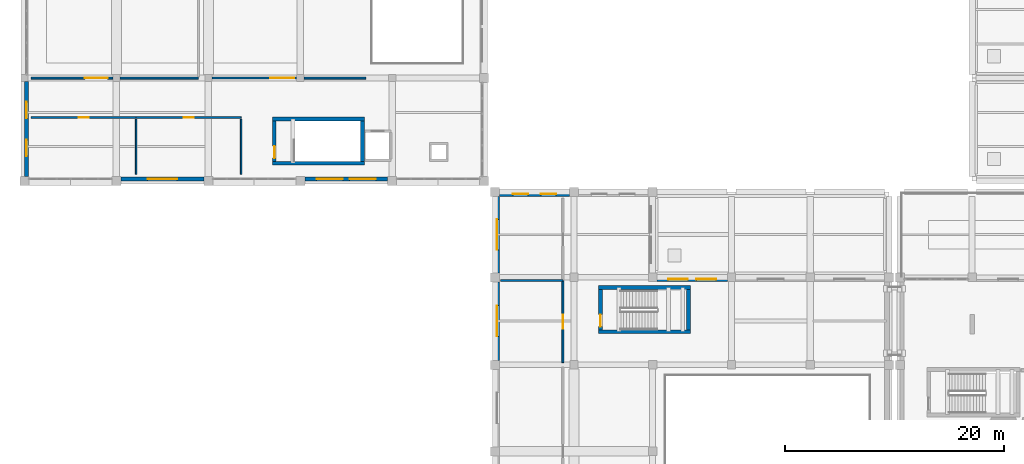
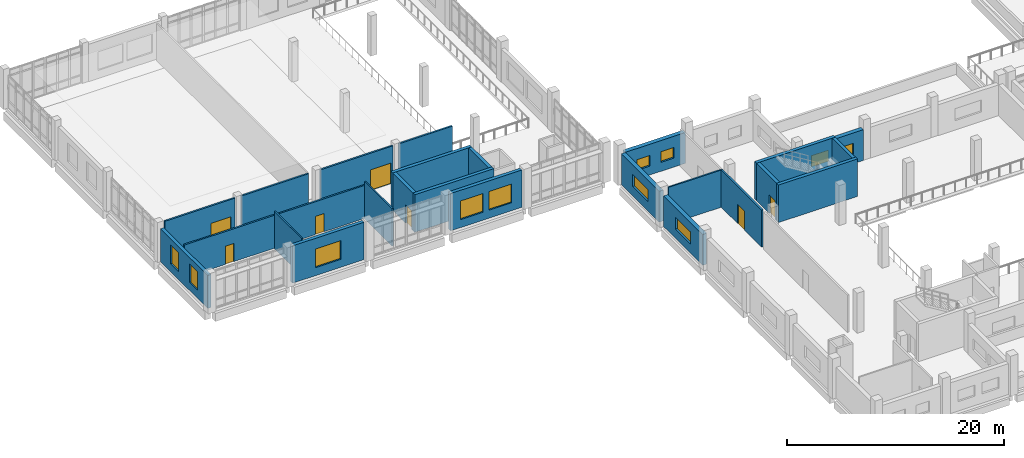
# One storey, part 41 of 54: 25 walls, 11 windows, 7 doors, 18 openings.
"""IFC4 building model written with IfcOpenShell, lengths in metres."""

from ifc_helpers import new_model, si_unit, direction, frame, frame_2d, origin, place, context, subcontext, project, spatial, rectangle, extrude, material, layer, layer_set, type_object, element, fill, save


model = new_model("IFC4")

# Units and contexts
model_context = context("Model", 3, precision=1e-05, world=origin(), true_north=direction((0.0, 1.0)))
body_context = subcontext(model_context, "Body", "Model", "MODEL_VIEW")
ifc_project = project(units=[si_unit("LENGTHUNIT", "METRE"), si_unit("AREAUNIT", "SQUARE_METRE"), si_unit("VOLUMEUNIT", "CUBIC_METRE"), si_unit("PLANEANGLEUNIT", "RADIAN"), si_unit("MASSUNIT", "GRAM", prefix="KILO")], contexts=[model_context])

# Site, building, storey
site_placement = place(None, origin())
site = spatial("IfcSite", under=ifc_project, at=site_placement, CompositionType="ELEMENT")
building_placement = place(site_placement, origin())
building = spatial("IfcBuilding", under=site, at=building_placement, Name="Kelarvand Opera House", CompositionType="ELEMENT")
storey_placement = place(building_placement, frame((0.0, 0.0, 15.0)))
storey = spatial("IfcBuildingStorey", under=building, at=storey_placement, Name="L03", CompositionType="ELEMENT", Elevation=15.0)

# Walls
ifc_material_1 = material(Name="Acoustic double-stud gypsum partition")
ifc_layer_1 = layer(ifc_material_1, 0.14990234375, Name="Acoustic double-stud gypsum partition")
ifc_layer_set_1 = layer_set([ifc_layer_1], Name="Acoustic double-stud gypsum partition")
wall_type_1 = type_object("IfcWallType", Name="Acoustic Room Partition Wall 150", PredefinedType="PARTITIONING", material=ifc_layer_set_1)
wall_1_placement = place(storey_placement, frame((52.5, 78.10009765625, 0.0), z_axis=(0.0, 0.0, 1.0), x_axis=(1.0, 0.0, 0.0)))
element("IfcWall", 1, at=wall_1_placement, inside=storey, type_object=wall_type_1, Name="V2 L03 Partition Wall IW-150 (579)", PredefinedType="PARTITIONING", context=body_context, shape_type="SweptSolid", body=[
    extrude(rectangle(XDim=5.699951171875, YDim=0.14990234375, at=frame_2d((2.85009765625, 0.0))), origin(), (0.0, 0.0, 1.0), 4.19189453125),
])
for number, where, z_axis, x_axis, name in (
    (2, (19.199951171875, 87.800048828125, 0.0), (0.0, 0.0, 1.0), (0.0, 1.0, 0.0), "V3 L03 Partition Wall IW-150 (591)"),
    (3, (28.800048828125, 87.800048828125, 0.0), (0.0, 0.0, 1.0), (0.0, 1.0, 0.0), "V3 L03 Partition Wall IW-150 (592)"),
):
    element("IfcWall", number, at=place(storey_placement, frame(where, z_axis=z_axis, x_axis=x_axis)), inside=storey, type_object=wall_type_1, Name=name, PredefinedType="PARTITIONING", context=body_context, shape_type="SweptSolid", body=[
        extrude(rectangle(XDim=5.06005859375, YDim=0.14990234375, at=frame_2d((2.530029296875, 0.0))), origin(), (0.0, 0.0, 1.0), 4.19189453125),
    ])

# Wall, openings, windows
ifc_material_2 = material(Name="Concrete C35/45", Category="concrete")
ifc_layer_2 = layer(ifc_material_2, 0.360107421875, Name="Concrete C35/45", Category="concrete")
ifc_layer_set_2 = layer_set([ifc_layer_2], Name="Concrete C35/45")
wall_type_2 = type_object("IfcWallType", Name="Azarshahr Travertine Cavity Wall 360", PredefinedType="SOLIDWALL", material=ifc_layer_set_2)
wall_2_placement = place(storey_placement, frame((9.179931640625, 87.610107421875, 0.0), z_axis=(0.0, 0.0, 1.0), x_axis=(0.0, 1.0, 0.0)))
wall_2 = element("IfcWall", 4, at=wall_2_placement, inside=storey, type_object=wall_type_2, Name="V3 L03 Exterior Wall EW-360 (426)", PredefinedType="SOLIDWALL", context=body_context, shape_type="SweptSolid", body=[
    extrude(rectangle(XDim=8.664794921875, YDim=0.360107421875, at=frame_2d((4.33251953125, 0.0))), origin(), (0.0, 0.0, 1.0), 3.709228515625),
])
opening_1_placement = place(wall_2_placement, frame((1.85009765625, 0.0, 0.89990234375)))
opening_1 = element("IfcOpeningElement", 5, at=opening_1_placement, cuts=wall_2, Name="Opening WN-04", PredefinedType="OPENING", context=body_context, shape_type="SweptSolid", body=[
    extrude(rectangle(XDim=1.5, YDim=2.10009765625, at=frame_2d((0.75, 1.050048828125))), frame((0.0, 0.18994140625, 0.0), z_axis=(0.0, -1.0, 0.0), x_axis=(1.0, 0.0, 0.0)), (0.0, 0.0, 1.0), 0.380126953125),
])
opening_2_placement = place(wall_2_placement, frame((5.31591796875, 0.0, 0.89990234375)))
opening_2 = element("IfcOpeningElement", 6, at=opening_2_placement, cuts=wall_2, Name="Opening WN-04", PredefinedType="OPENING", context=body_context, shape_type="SweptSolid", body=[
    extrude(rectangle(XDim=1.5, YDim=2.10009765625, at=frame_2d((0.75, 1.050048828125))), frame((0.0, 0.18994140625, 0.0), z_axis=(0.0, -1.0, 0.0), x_axis=(1.0, 0.0, 0.0)), (0.0, 0.0, 1.0), 0.380126953125),
])
ifc_material_3 = material(Name="Thermally broken aluminium and low-E double glazing", Category="aluminium")
window_type_1 = type_object("IfcWindowType", Name="Recessed Aluminium Thermal Window 1500x2100 WN-04", PartitioningType="SINGLE_PANEL", PredefinedType="WINDOW", material=ifc_material_3)
window_1_placement = place(opening_1_placement, origin())
window_1 = element("IfcWindow", 7, at=window_1_placement, inside=storey, type_object=window_type_1, Name="V3 L03 Facade Window WN-04 (196)", OverallHeight=2.10009765625, OverallWidth=1.5, PartitioningType="SINGLE_PANEL", PredefinedType="WINDOW", context=body_context, shape_type="SweptSolid", body=[
    extrude(rectangle(XDim=1.5, YDim=2.10009765625, at=frame_2d((0.75, 1.050048828125))), frame((0.0, 0.030029296875, 0.0), z_axis=(0.0, -1.0, 0.0), x_axis=(1.0, 0.0, 0.0)), (0.0, 0.0, 1.0), 0.06005859375),
])
fill(opening_1, window_1)
window_2_placement = place(opening_2_placement, origin())
window_2 = element("IfcWindow", 8, at=window_2_placement, inside=storey, type_object=window_type_1, Name="V3 L03 Facade Window WN-04 (197)", OverallHeight=2.10009765625, OverallWidth=1.5, PartitioningType="SINGLE_PANEL", PredefinedType="WINDOW", context=body_context, shape_type="SweptSolid", body=[
    extrude(rectangle(XDim=1.5, YDim=2.10009765625, at=frame_2d((0.75, 1.050048828125))), frame((0.0, 0.030029296875, 0.0), z_axis=(0.0, -1.0, 0.0), x_axis=(1.0, 0.0, 0.0)), (0.0, 0.0, 1.0), 0.06005859375),
])
fill(opening_2, window_2)

wall_3_placement = place(storey_placement, frame((42.18994140625, 87.3798828125, 0.0), z_axis=(0.0, 0.0, 1.0), x_axis=(-1.0, 0.0, 0.0)))
wall_3 = element("IfcWall", 9, at=wall_3_placement, inside=storey, type_object=wall_type_2, Name="V3 L03 Exterior Wall EW-360 (428)", PredefinedType="SOLIDWALL", context=body_context, shape_type="SweptSolid", body=[
    extrude(rectangle(XDim=7.579833984375, YDim=0.360107421875, at=frame_2d((3.7900390625, 0.0))), origin(), (0.0, 0.0, 1.0), 4.199951171875),
])
opening_3_placement = place(wall_3_placement, frame((1.073974609375, 0.0, 0.89990234375)))
opening_3 = element("IfcOpeningElement", 10, at=opening_3_placement, cuts=wall_3, Name="Opening WN-07", PredefinedType="OPENING", context=body_context, shape_type="SweptSolid", body=[
    extrude(rectangle(XDim=2.39990234375, YDim=2.10009765625, at=frame_2d((1.199951171875, 1.050048828125))), frame((0.0, 0.18994140625, 0.0), z_axis=(0.0, -1.0, 0.0), x_axis=(1.0, 0.0, 0.0)), (0.0, 0.0, 1.0), 0.380126953125),
])
opening_4_placement = place(wall_3_placement, frame((4.10595703125, 0.0, 0.89990234375)))
opening_4 = element("IfcOpeningElement", 11, at=opening_4_placement, cuts=wall_3, Name="Opening WN-07", PredefinedType="OPENING", context=body_context, shape_type="SweptSolid", body=[
    extrude(rectangle(XDim=2.39990234375, YDim=2.10009765625, at=frame_2d((1.199951171875, 1.050048828125))), frame((0.0, 0.18994140625, 0.0), z_axis=(0.0, -1.0, 0.0), x_axis=(1.0, 0.0, 0.0)), (0.0, 0.0, 1.0), 0.380126953125),
])
window_type_2 = type_object("IfcWindowType", Name="Recessed Aluminium Thermal Window 2400x2100 WN-07", PartitioningType="SINGLE_PANEL", PredefinedType="WINDOW", material=ifc_material_3)
window_3_placement = place(opening_3_placement, origin())
window_3 = element("IfcWindow", 12, at=window_3_placement, inside=storey, type_object=window_type_2, Name="V3 L03 Facade Window WN-07 (200)", OverallHeight=2.10009765625, OverallWidth=2.39990234375, PartitioningType="SINGLE_PANEL", PredefinedType="WINDOW", context=body_context, shape_type="SweptSolid", body=[
    extrude(rectangle(XDim=2.39990234375, YDim=2.10009765625, at=frame_2d((1.199951171875, 1.050048828125))), frame((0.0, 0.030029296875, 0.0), z_axis=(0.0, -1.0, 0.0), x_axis=(1.0, 0.0, 0.0)), (0.0, 0.0, 1.0), 0.06005859375),
])
fill(opening_3, window_3)
window_4_placement = place(opening_4_placement, origin())
window_4 = element("IfcWindow", 13, at=window_4_placement, inside=storey, type_object=window_type_2, Name="V3 L03 Facade Window WN-07 (201)", OverallHeight=2.10009765625, OverallWidth=2.39990234375, PartitioningType="SINGLE_PANEL", PredefinedType="WINDOW", context=body_context, shape_type="SweptSolid", body=[
    extrude(rectangle(XDim=2.39990234375, YDim=2.10009765625, at=frame_2d((1.199951171875, 1.050048828125))), frame((0.0, 0.030029296875, 0.0), z_axis=(0.0, -1.0, 0.0), x_axis=(1.0, 0.0, 0.0)), (0.0, 0.0, 1.0), 0.06005859375),
])
fill(opening_4, window_4)

# Wall, opening, window
wall_4_placement = place(storey_placement, frame((25.389892578125, 87.3798828125, 0.0), z_axis=(0.0, 0.0, 1.0), x_axis=(-1.0, 0.0, 0.0)))
wall_4 = element("IfcWall", 14, at=wall_4_placement, inside=storey, type_object=wall_type_2, Name="V3 L03 Exterior Wall EW-360 (429)", PredefinedType="SOLIDWALL", context=body_context, shape_type="SweptSolid", body=[
    extrude(rectangle(XDim=7.579833984375, YDim=0.360107421875, at=frame_2d((3.7900390625, 0.0))), origin(), (0.0, 0.0, 1.0), 4.199951171875),
])
opening_5_placement = place(wall_4_placement, frame((2.43994140625, 0.0, 0.89990234375)))
opening_5 = element("IfcOpeningElement", 15, at=opening_5_placement, cuts=wall_4, Name="Opening WN-08", PredefinedType="OPENING", context=body_context, shape_type="SweptSolid", body=[
    extrude(rectangle(XDim=2.699951171875, YDim=2.10009765625, at=frame_2d((1.35009765625, 1.050048828125))), frame((0.0, 0.18994140625, 0.0), z_axis=(0.0, -1.0, 0.0), x_axis=(1.0, 0.0, 0.0)), (0.0, 0.0, 1.0), 0.380126953125),
])
window_type_3 = type_object("IfcWindowType", Name="Recessed Aluminium Thermal Window 2700x2100 WN-08", PartitioningType="SINGLE_PANEL", PredefinedType="WINDOW", material=ifc_material_3)
window_5_placement = place(opening_5_placement, origin())
window_5 = element("IfcWindow", 16, at=window_5_placement, inside=storey, type_object=window_type_3, Name="V3 L03 Facade Window WN-08 (202)", OverallHeight=2.10009765625, OverallWidth=2.699951171875, PartitioningType="SINGLE_PANEL", PredefinedType="WINDOW", context=body_context, shape_type="SweptSolid", body=[
    extrude(rectangle(XDim=2.699951171875, YDim=2.10009765625, at=frame_2d((1.35009765625, 1.050048828125))), frame((0.0, 0.030029296875, 0.0), z_axis=(0.0, -1.0, 0.0), x_axis=(1.0, 0.0, 0.0)), (0.0, 0.0, 1.0), 0.06005859375),
])
fill(opening_5, window_5)

# Walls
ifc_material_4 = material(Name="Concrete C40/50", Category="concrete")
ifc_layer_3 = layer(ifc_material_4, 0.35009765625, Name="Concrete C40/50", Category="concrete")
ifc_layer_set_3 = layer_set([ifc_layer_3], Name="Concrete C40/50")
wall_type_3 = type_object("IfcWallType", Name="Core Stair and Lift Shear Wall 350", PredefinedType="SHEAR", material=ifc_layer_set_3)
for number, where, z_axis, x_axis, name in (
    (17, (61.449951171875, 73.425048828125, 0.0), (0.0, 0.0, 1.0), (1.0, 0.0, 0.0), "C3 Stair Core Shear Wall S L03"),
    (18, (69.85009765625, 77.47509765625, 0.0), (0.0, 0.0, 1.0), (-1.0, 0.0, 0.0), "C3 Stair Core Shear Wall N L03"),
):
    element("IfcWall", number, at=place(storey_placement, frame(where, z_axis=z_axis, x_axis=x_axis)), inside=storey, type_object=wall_type_3, Name=name, PredefinedType="SHEAR", context=body_context, shape_type="SweptSolid", body=[
        extrude(rectangle(XDim=8.400146484375, YDim=0.35009765625, at=frame_2d((4.2001953125, 0.0))), origin(), (0.0, 0.0, 1.0), 4.219970703125),
    ])

# Wall, opening, door
wall_5_placement = place(storey_placement, frame((61.625, 73.60009765625, 0.0), z_axis=(0.0, 0.0, 1.0), x_axis=(0.0, 1.0, 0.0)))
wall_5 = element("IfcWall", 19, at=wall_5_placement, inside=storey, type_object=wall_type_3, Name="C3 Stair Core Shear Wall W L03", PredefinedType="SHEAR", context=body_context, shape_type="SweptSolid", body=[
    extrude(rectangle(XDim=3.699951171875, YDim=0.35009765625, at=frame_2d((1.85009765625, 0.0))), origin(), (0.0, 0.0, 1.0), 4.219970703125),
])
opening_6_placement = place(wall_5_placement, frame((0.280029296875, 0.0, 0.0)))
opening_6 = element("IfcOpeningElement", 20, at=opening_6_placement, cuts=wall_5, Name="Opening FD-01", PredefinedType="OPENING", context=body_context, shape_type="SweptSolid", body=[
    extrude(rectangle(XDim=1.10009765625, YDim=2.080078125, at=frame_2d((0.550048828125, 1.0400390625))), frame((0.0, 0.18505859375, 0.0), z_axis=(0.0, -1.0, 0.0), x_axis=(1.0, 0.0, 0.0)), (0.0, 0.0, 1.0), 0.3701171875),
])
ifc_material_5 = material(Name="Fire-rated brushed stainless steel", Category="steel")
door_type_1 = type_object("IfcDoorType", Name="Steel Fire-Rated Stair and FF Lobby Door 1100x2080", OperationType="NOTDEFINED", PredefinedType="DOOR", material=ifc_material_5)
door_1_placement = place(opening_6_placement, origin())
door_1 = element("IfcDoor", 21, at=door_1_placement, inside=storey, type_object=door_type_1, Name="C3 Stair ST-03 Fire Door L03", OperationType="SINGLE_SWING_LEFT", OverallHeight=2.080078125, OverallWidth=1.10009765625, PredefinedType="DOOR", context=body_context, shape_type="SweptSolid", body=[
    extrude(rectangle(XDim=1.10009765625, YDim=2.080078125, at=frame_2d((0.550048828125, 1.0400390625))), frame((0.0, 0.02490234375, 0.0), z_axis=(0.0, -1.0, 0.0), x_axis=(1.0, 0.0, 0.0)), (0.0, 0.0, 1.0), 0.050048828125),
])
fill(opening_6, door_1)

# Walls
wall_6_placement = place(storey_placement, frame((69.675048828125, 77.300048828125, 0.0), z_axis=(0.0, 0.0, 1.0), x_axis=(0.0, -1.0, 0.0)))
element("IfcWall", 22, at=wall_6_placement, inside=storey, type_object=wall_type_3, Name="C3 Stair Core Shear Wall E L03", PredefinedType="SHEAR", context=body_context, shape_type="SweptSolid", body=[
    extrude(rectangle(XDim=3.699951171875, YDim=0.35009765625, at=frame_2d((1.85009765625, 0.0))), origin(), (0.0, 0.0, 1.0), 4.219970703125),
])
for number, where, z_axis, x_axis, name in (
    (23, (31.64990234375, 88.824951171875, 0.0), (0.0, 0.0, 1.0), (1.0, 0.0, 0.0), "C5 Stair Core Shear Wall S L03"),
    (24, (40.050048828125, 92.875, 0.0), (0.0, 0.0, 1.0), (-1.0, 0.0, 0.0), "C5 Stair Core Shear Wall N L03"),
):
    element("IfcWall", number, at=place(storey_placement, frame(where, z_axis=z_axis, x_axis=x_axis)), inside=storey, type_object=wall_type_3, Name=name, PredefinedType="SHEAR", context=body_context, shape_type="SweptSolid", body=[
        extrude(rectangle(XDim=8.400146484375, YDim=0.35009765625, at=frame_2d((4.2001953125, 0.0))), origin(), (0.0, 0.0, 1.0), 4.219970703125),
    ])

# Wall, opening, door
wall_7_placement = place(storey_placement, frame((31.824951171875, 89.0, 0.0), z_axis=(0.0, 0.0, 1.0), x_axis=(0.0, 1.0, 0.0)))
wall_7 = element("IfcWall", 25, at=wall_7_placement, inside=storey, type_object=wall_type_3, Name="C5 Stair Core Shear Wall W L03", PredefinedType="SHEAR", context=body_context, shape_type="SweptSolid", body=[
    extrude(rectangle(XDim=3.699951171875, YDim=0.35009765625, at=frame_2d((1.85009765625, 0.0))), origin(), (0.0, 0.0, 1.0), 4.219970703125),
])
opening_7_placement = place(wall_7_placement, frame((0.280029296875, 0.0, 0.0)))
opening_7 = element("IfcOpeningElement", 26, at=opening_7_placement, cuts=wall_7, Name="Opening FD-01", PredefinedType="OPENING", context=body_context, shape_type="SweptSolid", body=[
    extrude(rectangle(XDim=1.10009765625, YDim=2.080078125, at=frame_2d((0.550048828125, 1.0400390625))), frame((0.0, 0.18505859375, 0.0), z_axis=(0.0, -1.0, 0.0), x_axis=(1.0, 0.0, 0.0)), (0.0, 0.0, 1.0), 0.3701171875),
])
door_2_placement = place(opening_7_placement, origin())
door_2 = element("IfcDoor", 27, at=door_2_placement, inside=storey, type_object=door_type_1, Name="C5 Stair ST-05 Fire Door L03", OperationType="SINGLE_SWING_LEFT", OverallHeight=2.080078125, OverallWidth=1.10009765625, PredefinedType="DOOR", context=body_context, shape_type="SweptSolid", body=[
    extrude(rectangle(XDim=1.10009765625, YDim=2.080078125, at=frame_2d((0.550048828125, 1.0400390625))), frame((0.0, 0.02490234375, 0.0), z_axis=(0.0, -1.0, 0.0), x_axis=(1.0, 0.0, 0.0)), (0.0, 0.0, 1.0), 0.050048828125),
])
fill(opening_7, door_2)

# Wall
wall_8_placement = place(storey_placement, frame((39.875, 92.699951171875, 0.0), z_axis=(0.0, 0.0, 1.0), x_axis=(0.0, -1.0, 0.0)))
element("IfcWall", 28, at=wall_8_placement, inside=storey, type_object=wall_type_3, Name="C5 Stair Core Shear Wall E L03", PredefinedType="SHEAR", context=body_context, shape_type="SweptSolid", body=[
    extrude(rectangle(XDim=3.699951171875, YDim=0.35009765625, at=frame_2d((1.85009765625, 0.0))), origin(), (0.0, 0.0, 1.0), 4.219970703125),
])

# Wall, opening, door
ifc_layer_4 = layer(ifc_material_2, 0.179931640625, Name="Concrete C35/45", Category="concrete")
ifc_layer_set_4 = layer_set([ifc_layer_4], Name="Concrete C35/45")
wall_type_4 = type_object("IfcWallType", Name="Corridor Fire-Rated Partition Wall 180 EI90", PredefinedType="PARTITIONING", material=ifc_layer_set_4)
wall_9_placement = place(storey_placement, frame((58.199951171875, 70.60009765625, 0.0), z_axis=(0.0, 0.0, 1.0), x_axis=(0.0, 1.0, 0.0)))
wall_9 = element("IfcWall", 29, at=wall_9_placement, inside=storey, type_object=wall_type_4, Name="V2 L03 Partition Wall IW-90 (578)", PredefinedType="PARTITIONING", context=body_context, shape_type="SweptSolid", body=[
    extrude(rectangle(XDim=7.5, YDim=0.179931640625, at=frame_2d((3.75, 0.0))), origin(), (0.0, 0.0, 1.0), 4.19189453125),
])
opening_8_placement = place(wall_9_placement, frame((3.110107421875, 0.0, 0.0)))
opening_8 = element("IfcOpeningElement", 30, at=opening_8_placement, cuts=wall_9, Name="Opening D-11", PredefinedType="OPENING", context=body_context, shape_type="SweptSolid", body=[
    extrude(rectangle(XDim=1.280029296875, YDim=2.139892578125, at=frame_2d((0.64013671875, 1.06982421875))), frame((0.0, 0.10009765625, 0.0), z_axis=(0.0, -1.0, 0.0), x_axis=(1.0, 0.0, 0.0)), (0.0, 0.0, 1.0), 0.199951171875),
])
ifc_material_6 = material(Name="Acoustic walnut-veneered hardwood", Category="wood")
door_type_2 = type_object("IfcDoorType", Name="Instrument Store Leaf-and-Half Door 1280x2140", OperationType="NOTDEFINED", PredefinedType="DOOR", material=ifc_material_6)
door_3_placement = place(opening_8_placement, origin())
door_3 = element("IfcDoor", 31, at=door_3_placement, inside=storey, type_object=door_type_2, Name="V2 L03 Door D-11 (258)", OperationType="SINGLE_SWING_RIGHT", OverallHeight=2.139892578125, OverallWidth=1.280029296875, PredefinedType="DOOR", context=body_context, shape_type="SweptSolid", body=[
    extrude(rectangle(XDim=1.280029296875, YDim=2.139892578125, at=frame_2d((0.64013671875, 1.06982421875))), frame((0.0, 0.02490234375, 0.0), z_axis=(0.0, -1.0, 0.0), x_axis=(1.0, 0.0, 0.0)), (0.0, 0.0, 1.0), 0.050048828125),
])
fill(opening_8, door_3)

wall_10_placement = place(storey_placement, frame((9.60009765625, 96.60009765625, 0.0), z_axis=(0.0, 0.0, 1.0), x_axis=(1.0, 0.0, 0.0)))
wall_10 = element("IfcWall", 32, at=wall_10_placement, inside=storey, type_object=wall_type_4, Name="V3 L03 Partition Wall IW-90 (585)", PredefinedType="PARTITIONING", context=body_context, shape_type="SweptSolid", body=[
    extrude(rectangle(XDim=7.474853515625, YDim=0.179931640625, at=frame_2d((3.7373046875, 0.0))), origin(), (0.0, 0.0, 1.0), 4.19189453125),
])
opening_9_placement = place(wall_10_placement, frame((4.923095703125, 0.0, 0.0)))
opening_9 = element("IfcOpeningElement", 33, at=opening_9_placement, cuts=wall_10, Name="Opening D-08", PredefinedType="OPENING", context=body_context, shape_type="SweptSolid", body=[
    extrude(rectangle(XDim=2.10009765625, YDim=2.25, at=frame_2d((1.050048828125, 1.125))), frame((0.0, 0.10009765625, 0.0), z_axis=(0.0, -1.0, 0.0), x_axis=(1.0, 0.0, 0.0)), (0.0, 0.0, 1.0), 0.199951171875),
])
door_type_3 = type_object("IfcDoorType", Name="Foyer Intermission Double Glazed Door 2100x2250", OperationType="NOTDEFINED", PredefinedType="DOOR", material=ifc_material_6)
door_4_placement = place(opening_9_placement, origin())
door_4 = element("IfcDoor", 34, at=door_4_placement, inside=storey, type_object=door_type_3, Name="V3 L03 Door D-08 (263)", OperationType="DOUBLE_DOOR_SINGLE_SWING", OverallHeight=2.25, OverallWidth=2.10009765625, PredefinedType="DOOR", context=body_context, shape_type="SweptSolid", body=[
    extrude(rectangle(XDim=2.10009765625, YDim=2.25, at=frame_2d((1.050048828125, 1.125))), frame((0.0, 0.02490234375, 0.0), z_axis=(0.0, -1.0, 0.0), x_axis=(1.0, 0.0, 0.0)), (0.0, 0.0, 1.0), 0.050048828125),
])
fill(opening_9, door_4)

# Wall
wall_11_placement = place(storey_placement, frame((17.72509765625, 96.60009765625, 0.0), z_axis=(0.0, 0.0, 1.0), x_axis=(1.0, 0.0, 0.0)))
element("IfcWall", 35, at=wall_11_placement, inside=storey, type_object=wall_type_4, Name="V3 L03 Partition Wall IW-90 (586)", PredefinedType="PARTITIONING", context=body_context, shape_type="SweptSolid", body=[
    extrude(rectangle(XDim=7.1748046875, YDim=0.179931640625, at=frame_2d((3.58740234375, 0.0))), origin(), (0.0, 0.0, 1.0), 4.19189453125),
])

# Wall, opening, door
wall_12_placement = place(storey_placement, frame((26.125, 96.60009765625, 0.0), z_axis=(0.0, 0.0, 1.0), x_axis=(1.0, 0.0, 0.0)))
wall_12 = element("IfcWall", 36, at=wall_12_placement, inside=storey, type_object=wall_type_4, Name="V3 L03 Partition Wall IW-90 (588)", PredefinedType="PARTITIONING", context=body_context, shape_type="SweptSolid", body=[
    extrude(rectangle(XDim=7.75, YDim=0.179931640625, at=frame_2d((3.875, 0.0))), origin(), (0.0, 0.0, 1.0), 4.19189453125),
])
opening_10_placement = place(wall_12_placement, frame((5.324951171875, 0.0, 0.0)))
opening_10 = element("IfcOpeningElement", 37, at=opening_10_placement, cuts=wall_12, Name="Opening D-18", PredefinedType="OPENING", context=body_context, shape_type="SweptSolid", body=[
    extrude(rectangle(XDim=2.199951171875, YDim=2.320068359375, at=frame_2d((1.10009765625, 1.16015625))), frame((0.0, 0.10009765625, 0.0), z_axis=(0.0, -1.0, 0.0), x_axis=(1.0, 0.0, 0.0)), (0.0, 0.0, 1.0), 0.199951171875),
])
door_type_4 = type_object("IfcDoorType", Name="Main Concourse Glazed Double Door 2200x2320", OperationType="NOTDEFINED", PredefinedType="DOOR", material=ifc_material_6)
door_5_placement = place(opening_10_placement, origin())
door_5 = element("IfcDoor", 38, at=door_5_placement, inside=storey, type_object=door_type_4, Name="V3 L03 Door D-18 (264)", OperationType="DOUBLE_DOOR_SINGLE_SWING", OverallHeight=2.320068359375, OverallWidth=2.199951171875, PredefinedType="DOOR", context=body_context, shape_type="SweptSolid", body=[
    extrude(rectangle(XDim=2.199951171875, YDim=2.320068359375, at=frame_2d((1.10009765625, 1.16015625))), frame((0.0, 0.02490234375, 0.0), z_axis=(0.0, -1.0, 0.0), x_axis=(1.0, 0.0, 0.0)), (0.0, 0.0, 1.0), 0.050048828125),
])
fill(opening_10, door_5)

# Wall
wall_13_placement = place(storey_placement, frame((34.52490234375, 96.60009765625, 0.0), z_axis=(0.0, 0.0, 1.0), x_axis=(1.0, 0.0, 0.0)))
element("IfcWall", 39, at=wall_13_placement, inside=storey, type_object=wall_type_4, Name="V3 L03 Partition Wall IW-90 (589)", PredefinedType="PARTITIONING", context=body_context, shape_type="SweptSolid", body=[
    extrude(rectangle(XDim=5.675048828125, YDim=0.179931640625, at=frame_2d((2.83740234375, 0.0))), origin(), (0.0, 0.0, 1.0), 4.19189453125),
])

# Wall, opening, door
wall_14_placement = place(storey_placement, frame((9.60009765625, 93.0, 0.0), z_axis=(0.0, 0.0, 1.0), x_axis=(1.0, 0.0, 0.0)))
wall_14 = element("IfcWall", 40, at=wall_14_placement, inside=storey, type_object=wall_type_4, Name="V3 L03 Partition Wall IW-90 (590)", PredefinedType="PARTITIONING", context=body_context, shape_type="SweptSolid", body=[
    extrude(rectangle(XDim=9.599853515625, YDim=0.179931640625, at=frame_2d((4.7998046875, 0.0))), origin(), (0.0, 0.0, 1.0), 3.7021484375),
])
opening_11_placement = place(wall_14_placement, frame((4.340087890625, 0.0, 0.0)))
opening_11 = element("IfcOpeningElement", 41, at=opening_11_placement, cuts=wall_14, Name="Opening D-01", PredefinedType="OPENING", context=body_context, shape_type="SweptSolid", body=[
    extrude(rectangle(XDim=0.919921875, YDim=2.050048828125, at=frame_2d((0.4599609375, 1.02490234375))), frame((0.0, 0.10009765625, 0.0), z_axis=(0.0, -1.0, 0.0), x_axis=(1.0, 0.0, 0.0)), (0.0, 0.0, 1.0), 0.199951171875),
])
door_type_5 = type_object("IfcDoorType", Name="Solid Timber Dressing and WC Door 920x2050", OperationType="NOTDEFINED", PredefinedType="DOOR", material=ifc_material_6)
door_6_placement = place(opening_11_placement, origin())
door_6 = element("IfcDoor", 42, at=door_6_placement, inside=storey, type_object=door_type_5, Name="V3 L03 Door D-01 (265)", OperationType="SINGLE_SWING_LEFT", OverallHeight=2.050048828125, OverallWidth=0.919921875, PredefinedType="DOOR", context=body_context, shape_type="SweptSolid", body=[
    extrude(rectangle(XDim=0.919921875, YDim=2.050048828125, at=frame_2d((0.4599609375, 1.02490234375))), frame((0.0, 0.02490234375, 0.0), z_axis=(0.0, -1.0, 0.0), x_axis=(1.0, 0.0, 0.0)), (0.0, 0.0, 1.0), 0.050048828125),
])
fill(opening_11, door_6)

wall_15_placement = place(storey_placement, frame((19.199951171875, 93.0, 0.0), z_axis=(0.0, 0.0, 1.0), x_axis=(1.0, 0.0, 0.0)))
wall_15 = element("IfcWall", 43, at=wall_15_placement, inside=storey, type_object=wall_type_4, Name="V3 L03 Partition Wall IW-90 (593)", PredefinedType="PARTITIONING", context=body_context, shape_type="SweptSolid", body=[
    extrude(rectangle(XDim=9.60009765625, YDim=0.179931640625, at=frame_2d((4.800048828125, 0.0))), origin(), (0.0, 0.0, 1.0), 3.7021484375),
])
opening_12_placement = place(wall_15_placement, frame((4.340087890625, 0.0, 0.0)))
opening_12 = element("IfcOpeningElement", 44, at=opening_12_placement, cuts=wall_15, Name="Opening D-01", PredefinedType="OPENING", context=body_context, shape_type="SweptSolid", body=[
    extrude(rectangle(XDim=0.919921875, YDim=2.050048828125, at=frame_2d((0.4599609375, 1.02490234375))), frame((0.0, 0.10009765625, 0.0), z_axis=(0.0, -1.0, 0.0), x_axis=(1.0, 0.0, 0.0)), (0.0, 0.0, 1.0), 0.199951171875),
])
door_7_placement = place(opening_12_placement, origin())
door_7 = element("IfcDoor", 45, at=door_7_placement, inside=storey, type_object=door_type_5, Name="V3 L03 Door D-01 (266)", OperationType="SINGLE_SWING_RIGHT", OverallHeight=2.050048828125, OverallWidth=0.919921875, PredefinedType="DOOR", context=body_context, shape_type="SweptSolid", body=[
    extrude(rectangle(XDim=0.919921875, YDim=2.050048828125, at=frame_2d((0.4599609375, 1.02490234375))), frame((0.0, 0.02490234375, 0.0), z_axis=(0.0, -1.0, 0.0), x_axis=(1.0, 0.0, 0.0)), (0.0, 0.0, 1.0), 0.050048828125),
])
fill(opening_12, door_7)

# Wall, opening, window
ifc_layer_5 = layer(ifc_material_2, 0.43994140625, Name="Concrete C35/45", Category="concrete")
ifc_layer_set_5 = layer_set([ifc_layer_5], Name="Concrete C35/45")
wall_type_5 = type_object("IfcWallType", Name="Stage House Acoustic Cavity Wall 440", PredefinedType="SOLIDWALL", material=ifc_layer_set_5)
wall_16_placement = place(storey_placement, frame((52.179931640625, 70.81005859375, 0.0), z_axis=(0.0, 0.0, 1.0), x_axis=(0.0, 1.0, 0.0)))
wall_16 = element("IfcWall", 46, at=wall_16_placement, inside=storey, type_object=wall_type_5, Name="V2 L03 Exterior Wall EW-440 (286)", PredefinedType="SOLIDWALL", context=body_context, shape_type="SweptSolid", body=[
    extrude(rectangle(XDim=7.179931640625, YDim=0.43994140625, at=frame_2d((3.58984375, 0.0))), origin(), (0.0, 0.0, 1.0), 3.4619140625),
])
opening_13_placement = place(wall_16_placement, frame((2.18994140625, 0.0, 1.050048828125)))
opening_13 = element("IfcOpeningElement", 47, at=opening_13_placement, cuts=wall_16, Name="Opening WN-21", PredefinedType="OPENING", context=body_context, shape_type="SweptSolid", body=[
    extrude(rectangle(XDim=2.800048828125, YDim=1.35009765625, at=frame_2d((1.39990234375, 0.675048828125))), frame((0.0, 0.22998046875, 0.0), z_axis=(0.0, -1.0, 0.0), x_axis=(1.0, 0.0, 0.0)), (0.0, 0.0, 1.0), 0.4599609375),
])
window_type_4 = type_object("IfcWindowType", Name="Recessed Aluminium Thermal Window 2800x1350 WN-21", PartitioningType="SINGLE_PANEL", PredefinedType="WINDOW", material=ifc_material_3)
window_6_placement = place(opening_13_placement, origin())
window_6 = element("IfcWindow", 48, at=window_6_placement, inside=storey, type_object=window_type_4, Name="V2 L03 Facade Window WN-21 (72)", OverallHeight=1.35009765625, OverallWidth=2.800048828125, PartitioningType="SINGLE_PANEL", PredefinedType="WINDOW", context=body_context, shape_type="SweptSolid", body=[
    extrude(rectangle(XDim=2.800048828125, YDim=1.35009765625, at=frame_2d((1.39990234375, 0.675048828125))), frame((0.0, 0.030029296875, 0.0), z_axis=(0.0, -1.0, 0.0), x_axis=(1.0, 0.0, 0.0)), (0.0, 0.0, 1.0), 0.06005859375),
])
fill(opening_13, window_6)

wall_17_placement = place(storey_placement, frame((52.179931640625, 78.81005859375, 0.0), z_axis=(0.0, 0.0, 1.0), x_axis=(0.0, 1.0, 0.0)))
wall_17 = element("IfcWall", 49, at=wall_17_placement, inside=storey, type_object=wall_type_5, Name="V2 L03 Exterior Wall EW-440 (287)", PredefinedType="SOLIDWALL", context=body_context, shape_type="SweptSolid", body=[
    extrude(rectangle(XDim=6.97998046875, YDim=0.43994140625, at=frame_2d((3.489990234375, 0.0))), origin(), (0.0, 0.0, 1.0), 3.4619140625),
])
opening_14_placement = place(wall_17_placement, frame((2.090087890625, 0.0, 1.050048828125)))
opening_14 = element("IfcOpeningElement", 50, at=opening_14_placement, cuts=wall_17, Name="Opening WN-21", PredefinedType="OPENING", context=body_context, shape_type="SweptSolid", body=[
    extrude(rectangle(XDim=2.800048828125, YDim=1.35009765625, at=frame_2d((1.39990234375, 0.675048828125))), frame((0.0, 0.22998046875, 0.0), z_axis=(0.0, -1.0, 0.0), x_axis=(1.0, 0.0, 0.0)), (0.0, 0.0, 1.0), 0.4599609375),
])
window_7_placement = place(opening_14_placement, origin())
window_7 = element("IfcWindow", 51, at=window_7_placement, inside=storey, type_object=window_type_4, Name="V2 L03 Facade Window WN-21 (73)", OverallHeight=1.35009765625, OverallWidth=2.800048828125, PartitioningType="SINGLE_PANEL", PredefinedType="WINDOW", context=body_context, shape_type="SweptSolid", body=[
    extrude(rectangle(XDim=2.800048828125, YDim=1.35009765625, at=frame_2d((1.39990234375, 0.675048828125))), frame((0.0, 0.030029296875, 0.0), z_axis=(0.0, -1.0, 0.0), x_axis=(1.0, 0.0, 0.0)), (0.0, 0.0, 1.0), 0.06005859375),
])
fill(opening_14, window_7)

# Wall, openings, windows
wall_18_placement = place(storey_placement, frame((52.409912109375, 86.02001953125, 0.0), z_axis=(0.0, 0.0, 1.0), x_axis=(1.0, 0.0, 0.0)))
wall_18 = element("IfcWall", 52, at=wall_18_placement, inside=storey, type_object=wall_type_5, Name="V2 L03 Exterior Wall EW-440 (288)", PredefinedType="SOLIDWALL", context=body_context, shape_type="SweptSolid", body=[
    extrude(rectangle(XDim=6.380126953125, YDim=0.43994140625, at=frame_2d((3.18994140625, 0.0))), origin(), (0.0, 0.0, 1.0), 3.4619140625),
])
opening_15_placement = place(wall_18_placement, frame((1.214111328125, 0.0, 1.0)))
opening_15 = element("IfcOpeningElement", 53, at=opening_15_placement, cuts=wall_18, Name="Opening WN-24", PredefinedType="OPENING", context=body_context, shape_type="SweptSolid", body=[
    extrude(rectangle(XDim=1.39990234375, YDim=1.199951171875, at=frame_2d((0.699951171875, 0.60009765625))), frame((0.0, 0.22998046875, 0.0), z_axis=(0.0, -1.0, 0.0), x_axis=(1.0, 0.0, 0.0)), (0.0, 0.0, 1.0), 0.4599609375),
])
opening_16_placement = place(wall_18_placement, frame((3.76611328125, 0.0, 1.0)))
opening_16 = element("IfcOpeningElement", 54, at=opening_16_placement, cuts=wall_18, Name="Opening WN-24", PredefinedType="OPENING", context=body_context, shape_type="SweptSolid", body=[
    extrude(rectangle(XDim=1.39990234375, YDim=1.199951171875, at=frame_2d((0.699951171875, 0.60009765625))), frame((0.0, 0.22998046875, 0.0), z_axis=(0.0, -1.0, 0.0), x_axis=(1.0, 0.0, 0.0)), (0.0, 0.0, 1.0), 0.4599609375),
])
window_type_5 = type_object("IfcWindowType", Name="Recessed Aluminium Thermal Window 1400x1200 WN-24", PartitioningType="SINGLE_PANEL", PredefinedType="WINDOW", material=ifc_material_3)
window_8_placement = place(opening_15_placement, origin())
window_8 = element("IfcWindow", 55, at=window_8_placement, inside=storey, type_object=window_type_5, Name="V2 L03 Facade Window WN-24 (74)", OverallHeight=1.199951171875, OverallWidth=1.39990234375, PartitioningType="SINGLE_PANEL", PredefinedType="WINDOW", context=body_context, shape_type="SweptSolid", body=[
    extrude(rectangle(XDim=1.39990234375, YDim=1.199951171875, at=frame_2d((0.699951171875, 0.60009765625))), frame((0.0, 0.030029296875, 0.0), z_axis=(0.0, -1.0, 0.0), x_axis=(1.0, 0.0, 0.0)), (0.0, 0.0, 1.0), 0.06005859375),
])
fill(opening_15, window_8)
window_9_placement = place(opening_16_placement, origin())
window_9 = element("IfcWindow", 56, at=window_9_placement, inside=storey, type_object=window_type_5, Name="V2 L03 Facade Window WN-24 (75)", OverallHeight=1.199951171875, OverallWidth=1.39990234375, PartitioningType="SINGLE_PANEL", PredefinedType="WINDOW", context=body_context, shape_type="SweptSolid", body=[
    extrude(rectangle(XDim=1.39990234375, YDim=1.199951171875, at=frame_2d((0.699951171875, 0.60009765625))), frame((0.0, 0.030029296875, 0.0), z_axis=(0.0, -1.0, 0.0), x_axis=(1.0, 0.0, 0.0)), (0.0, 0.0, 1.0), 0.06005859375),
])
fill(opening_16, window_9)

wall_19_placement = place(storey_placement, frame((66.77490234375, 78.219970703125, 0.0), z_axis=(0.0, 0.0, 1.0), x_axis=(1.0, 0.0, 0.0)))
wall_19 = element("IfcWall", 57, at=wall_19_placement, inside=storey, type_object=wall_type_5, Name="V2 L03 Exterior Wall EW-440 (291)", PredefinedType="SOLIDWALL", context=body_context, shape_type="SweptSolid", body=[
    extrude(rectangle(XDim=6.4501953125, YDim=0.43994140625, at=frame_2d((3.22509765625, 0.0))), origin(), (0.0, 0.0, 1.0), 3.4619140625),
])
opening_17_placement = place(wall_19_placement, frame((1.034912109375, 0.0, 1.050048828125)))
opening_17 = element("IfcOpeningElement", 58, at=opening_17_placement, cuts=wall_19, Name="Opening WN-23", PredefinedType="OPENING", context=body_context, shape_type="SweptSolid", body=[
    extrude(rectangle(XDim=1.800048828125, YDim=1.25, at=frame_2d((0.89990234375, 0.625))), frame((0.0, 0.22998046875, 0.0), z_axis=(0.0, -1.0, 0.0), x_axis=(1.0, 0.0, 0.0)), (0.0, 0.0, 1.0), 0.4599609375),
])
opening_18_placement = place(wall_19_placement, frame((3.614990234375, 0.0, 1.050048828125)))
opening_18 = element("IfcOpeningElement", 59, at=opening_18_placement, cuts=wall_19, Name="Opening WN-23", PredefinedType="OPENING", context=body_context, shape_type="SweptSolid", body=[
    extrude(rectangle(XDim=1.800048828125, YDim=1.25, at=frame_2d((0.89990234375, 0.625))), frame((0.0, 0.22998046875, 0.0), z_axis=(0.0, -1.0, 0.0), x_axis=(1.0, 0.0, 0.0)), (0.0, 0.0, 1.0), 0.4599609375),
])
window_type_6 = type_object("IfcWindowType", Name="Recessed Aluminium Thermal Window 1800x1250 WN-23", PartitioningType="SINGLE_PANEL", PredefinedType="WINDOW", material=ifc_material_3)
window_10_placement = place(opening_17_placement, origin())
window_10 = element("IfcWindow", 60, at=window_10_placement, inside=storey, type_object=window_type_6, Name="V2 L03 Facade Window WN-23 (80)", OverallHeight=1.25, OverallWidth=1.800048828125, PartitioningType="SINGLE_PANEL", PredefinedType="WINDOW", context=body_context, shape_type="SweptSolid", body=[
    extrude(rectangle(XDim=1.800048828125, YDim=1.25, at=frame_2d((0.89990234375, 0.625))), frame((0.0, 0.030029296875, 0.0), z_axis=(0.0, -1.0, 0.0), x_axis=(1.0, 0.0, 0.0)), (0.0, 0.0, 1.0), 0.06005859375),
])
fill(opening_17, window_10)
window_11_placement = place(opening_18_placement, origin())
window_11 = element("IfcWindow", 61, at=window_11_placement, inside=storey, type_object=window_type_6, Name="V2 L03 Facade Window WN-23 (81)", OverallHeight=1.25, OverallWidth=1.800048828125, PartitioningType="SINGLE_PANEL", PredefinedType="WINDOW", context=body_context, shape_type="SweptSolid", body=[
    extrude(rectangle(XDim=1.800048828125, YDim=1.25, at=frame_2d((0.89990234375, 0.625))), frame((0.0, 0.030029296875, 0.0), z_axis=(0.0, -1.0, 0.0), x_axis=(1.0, 0.0, 0.0)), (0.0, 0.0, 1.0), 0.06005859375),
])
fill(opening_18, window_11)

save(model, "model.ifc")
